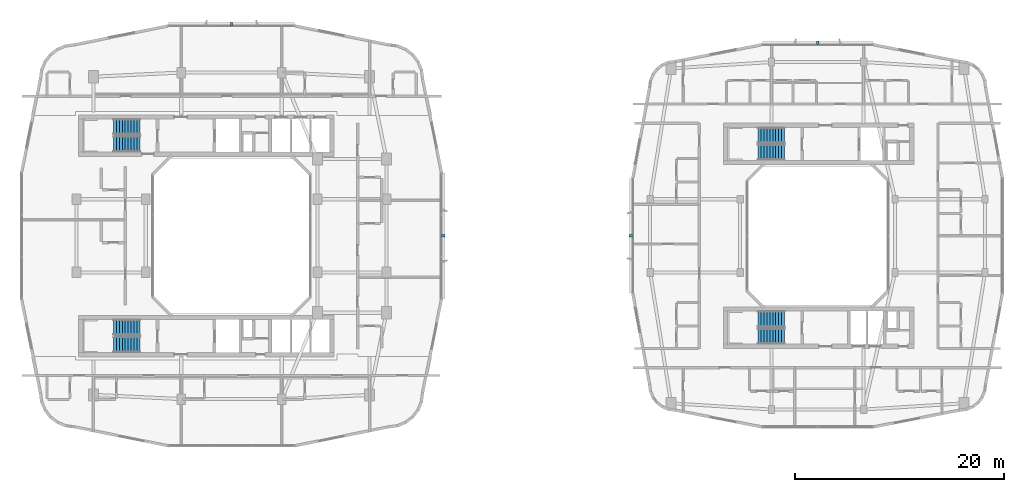
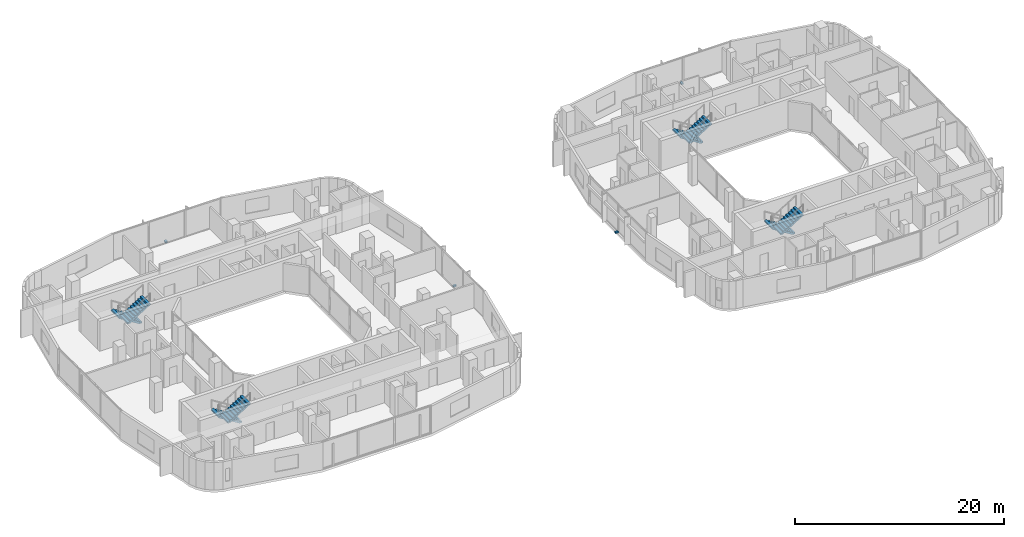
# One storey, part 21 of 26: 8 stair flights, 4 discrete accessories, 4 elements without a shape of their own.
"""IFC4 building model written with IfcOpenShell, lengths in metres."""

from ifc_helpers import new_model, si_unit, derived_unit, direction, frame, origin, origin_2d, place, context, subcontext, project, spatial, polyline, rectangle, outline, extrude, material, type_object, element, aggregate, save


model = new_model("IFC4")

# Units and contexts
model_context = context("Model", 3, precision=1e-05, world=origin(), true_north=direction((0.0, 1.0)))
body_context = subcontext(model_context, "Body", "Model", "MODEL_VIEW")
ifc_project = project(units=[si_unit("LENGTHUNIT", "METRE"), si_unit("AREAUNIT", "SQUARE_METRE"), si_unit("VOLUMEUNIT", "CUBIC_METRE"), si_unit("PLANEANGLEUNIT", "RADIAN"), si_unit("MASSUNIT", "GRAM", prefix="KILO"), derived_unit("THERMALTRANSMITTANCEUNIT", [(si_unit("POWERUNIT", "WATT"), 1), (si_unit("LENGTHUNIT", "METRE"), -2), (si_unit("THERMODYNAMICTEMPERATUREUNIT", "KELVIN"), -1)])], contexts=[model_context])

# Site, building, storey
site_placement = place(None, origin())
site = spatial("IfcSite", under=ifc_project, at=site_placement, CompositionType="ELEMENT")
building_placement = place(site_placement, origin())
building = spatial("IfcBuilding", under=site, at=building_placement, Name="Kivonza Crest Hotel", CompositionType="ELEMENT")
storey_placement = place(building_placement, frame((0.0, 0.0, 98.5)))
storey = spatial("IfcBuildingStorey", under=building, at=storey_placement, Name="L26", CompositionType="ELEMENT", Elevation=98.5)

# Stair, stair flights
ifc_material_1 = material(Name="Concrete C40/50", Category="concrete")
stair_type = type_object("IfcStairType", Name="ST-DL-20R", PredefinedType="HALF_TURN_STAIR", material=ifc_material_1)
stair_1_placement = place(storey_placement, origin())
stair_1 = element("IfcStair", 1, at=stair_1_placement, inside=storey, type_object=stair_type, Name="L26 Protected Exit Stair ST-T1-N", PredefinedType="HALF_TURN_STAIR")
stair_flight_type = type_object("IfcStairFlightType", Name="SFL-RC-10R", PredefinedType="STRAIGHT", material=ifc_material_1)
stair_flight_1_placement = place(storey_placement, frame((12.239990234375, 35.409912109375, 0.0), z_axis=(0.0, 0.0, 1.0), x_axis=(-1.0, 0.0, 0.0)))
stair_flight_1 = element("IfcStairFlight", 2, at=stair_flight_1_placement, type_object=stair_flight_type, Name="ST-T1-N flight 1", NumberOfRisers=10, NumberOfTreads=9, PredefinedType="STRAIGHT", RiserHeight=0.175, TreadLength=0.28, context=body_context, shape_type="SweptSolid", body=[
    extrude(outline(polyline([(0.0, 0.0), (0.0, 0.175048828125), (0.280029296875, 0.175048828125), (0.280029296875, 0.35009765625), (0.56005859375, 0.35009765625), (0.56005859375, 0.52490234375), (0.840087890625, 0.52490234375), (0.840087890625, 0.699951171875), (1.1201171875, 0.699951171875), (1.1201171875, 0.875), (1.39990234375, 0.875), (1.39990234375, 1.050048828125), (1.679931640625, 1.050048828125), (1.679931640625, 1.22509765625), (1.9599609375, 1.22509765625), (1.9599609375, 1.39990234375), (2.239990234375, 1.39990234375), (2.239990234375, 1.574951171875), (2.52001953125, 1.574951171875), (2.52001953125, 1.75), (2.52001953125, 1.398193359375), (0.28271484375, 0.0), (0.0, 0.0)])), frame((0.0, 0.75, 0.0), z_axis=(0.0, -1.0, 0.0), x_axis=(1.0, 0.0, 0.0)), (0.0, 0.0, 1.0), 1.5),
])
stair_flight_2_placement = place(storey_placement, frame((9.719970703125, 33.77001953125, 1.75), z_axis=(0.0, 0.0, 1.0), x_axis=(1.0, 0.0, 0.0)))
stair_flight_2 = element("IfcStairFlight", 3, at=stair_flight_2_placement, type_object=stair_flight_type, Name="ST-T1-N flight 2", NumberOfRisers=10, NumberOfTreads=9, PredefinedType="STRAIGHT", RiserHeight=0.175, TreadLength=0.28, context=body_context, shape_type="SweptSolid", body=[
    extrude(outline(polyline([(0.0, 0.0), (0.0, 0.175048828125), (0.280029296875, 0.175048828125), (0.280029296875, 0.35009765625), (0.56005859375, 0.35009765625), (0.56005859375, 0.52490234375), (0.840087890625, 0.52490234375), (0.840087890625, 0.699951171875), (1.1201171875, 0.699951171875), (1.1201171875, 0.875), (1.39990234375, 0.875), (1.39990234375, 1.050048828125), (1.679931640625, 1.050048828125), (1.679931640625, 1.22509765625), (1.9599609375, 1.22509765625), (1.9599609375, 1.39990234375), (2.239990234375, 1.39990234375), (2.239990234375, 1.574951171875), (2.52001953125, 1.574951171875), (2.52001953125, 1.75), (2.52001953125, 1.398193359375), (0.28271484375, 0.0), (0.0, 0.0)])), frame((0.0, 0.75, 0.0), z_axis=(0.0, -1.0, 0.0), x_axis=(1.0, 0.0, 0.0)), (0.0, 0.0, 1.0), 1.5),
])
aggregate(stair_1, [stair_flight_1, stair_flight_2])

stair_2_placement = place(storey_placement, origin())
stair_2 = element("IfcStair", 4, at=stair_2_placement, inside=storey, type_object=stair_type, Name="L26 Protected Exit Stair ST-T1-S", PredefinedType="HALF_TURN_STAIR")
stair_flight_3_placement = place(storey_placement, frame((12.239990234375, 16.25, 0.0), z_axis=(0.0, 0.0, 1.0), x_axis=(-1.0, 0.0, 0.0)))
stair_flight_3 = element("IfcStairFlight", 5, at=stair_flight_3_placement, type_object=stair_flight_type, Name="ST-T1-S flight 1", NumberOfRisers=10, NumberOfTreads=9, PredefinedType="STRAIGHT", RiserHeight=0.175, TreadLength=0.28, context=body_context, shape_type="SweptSolid", body=[
    extrude(outline(polyline([(0.0, 0.0), (0.0, 0.175048828125), (0.280029296875, 0.175048828125), (0.280029296875, 0.35009765625), (0.56005859375, 0.35009765625), (0.56005859375, 0.52490234375), (0.840087890625, 0.52490234375), (0.840087890625, 0.699951171875), (1.1201171875, 0.699951171875), (1.1201171875, 0.875), (1.39990234375, 0.875), (1.39990234375, 1.050048828125), (1.679931640625, 1.050048828125), (1.679931640625, 1.22509765625), (1.9599609375, 1.22509765625), (1.9599609375, 1.39990234375), (2.239990234375, 1.39990234375), (2.239990234375, 1.574951171875), (2.52001953125, 1.574951171875), (2.52001953125, 1.75), (2.52001953125, 1.398193359375), (0.28271484375, 0.0), (0.0, 0.0)])), frame((0.0, 0.75, 0.0), z_axis=(0.0, -1.0, 0.0), x_axis=(1.0, 0.0, 0.0)), (0.0, 0.0, 1.0), 1.5),
])
stair_flight_4_placement = place(storey_placement, frame((9.719970703125, 14.610107421875, 1.75), z_axis=(0.0, 0.0, 1.0), x_axis=(1.0, 0.0, 0.0)))
stair_flight_4 = element("IfcStairFlight", 6, at=stair_flight_4_placement, type_object=stair_flight_type, Name="ST-T1-S flight 2", NumberOfRisers=10, NumberOfTreads=9, PredefinedType="STRAIGHT", RiserHeight=0.175, TreadLength=0.28, context=body_context, shape_type="SweptSolid", body=[
    extrude(outline(polyline([(0.0, 0.0), (0.0, 0.175048828125), (0.280029296875, 0.175048828125), (0.280029296875, 0.35009765625), (0.56005859375, 0.35009765625), (0.56005859375, 0.52490234375), (0.840087890625, 0.52490234375), (0.840087890625, 0.699951171875), (1.1201171875, 0.699951171875), (1.1201171875, 0.875), (1.39990234375, 0.875), (1.39990234375, 1.050048828125), (1.679931640625, 1.050048828125), (1.679931640625, 1.22509765625), (1.9599609375, 1.22509765625), (1.9599609375, 1.39990234375), (2.239990234375, 1.39990234375), (2.239990234375, 1.574951171875), (2.52001953125, 1.574951171875), (2.52001953125, 1.75), (2.52001953125, 1.398193359375), (0.28271484375, 0.0), (0.0, 0.0)])), frame((0.0, 0.75, 0.0), z_axis=(0.0, -1.0, 0.0), x_axis=(1.0, 0.0, 0.0)), (0.0, 0.0, 1.0), 1.5),
])
aggregate(stair_2, [stair_flight_3, stair_flight_4])

stair_3_placement = place(storey_placement, origin())
stair_3 = element("IfcStair", 7, at=stair_3_placement, inside=storey, type_object=stair_type, Name="L26 Protected Exit Stair ST-T2-N", PredefinedType="HALF_TURN_STAIR")
stair_flight_5_placement = place(storey_placement, frame((73.840087890625, 34.610107421875, 0.0), z_axis=(0.0, 0.0, 1.0), x_axis=(-1.0, 0.0, 0.0)))
stair_flight_5 = element("IfcStairFlight", 8, at=stair_flight_5_placement, type_object=stair_flight_type, Name="ST-T2-N flight 1", NumberOfRisers=10, NumberOfTreads=9, PredefinedType="STRAIGHT", RiserHeight=0.175, TreadLength=0.28, context=body_context, shape_type="SweptSolid", body=[
    extrude(outline(polyline([(0.0, 0.0), (0.0, 0.175048828125), (0.280029296875, 0.175048828125), (0.280029296875, 0.35009765625), (0.56005859375, 0.35009765625), (0.56005859375, 0.52490234375), (0.840087890625, 0.52490234375), (0.840087890625, 0.699951171875), (1.1201171875, 0.699951171875), (1.1201171875, 0.875), (1.39990234375, 0.875), (1.39990234375, 1.050048828125), (1.679931640625, 1.050048828125), (1.679931640625, 1.22509765625), (1.9599609375, 1.22509765625), (1.9599609375, 1.39990234375), (2.239990234375, 1.39990234375), (2.239990234375, 1.574951171875), (2.52001953125, 1.574951171875), (2.52001953125, 1.75), (2.52001953125, 1.398193359375), (0.28271484375, 0.0), (0.0, 0.0)])), frame((0.0, 0.75, 0.0), z_axis=(0.0, -1.0, 0.0), x_axis=(1.0, 0.0, 0.0)), (0.0, 0.0, 1.0), 1.5),
])
stair_flight_6_placement = place(storey_placement, frame((71.320068359375, 32.969970703125, 1.75), z_axis=(0.0, 0.0, 1.0), x_axis=(1.0, 0.0, 0.0)))
stair_flight_6 = element("IfcStairFlight", 9, at=stair_flight_6_placement, type_object=stair_flight_type, Name="ST-T2-N flight 2", NumberOfRisers=10, NumberOfTreads=9, PredefinedType="STRAIGHT", RiserHeight=0.175, TreadLength=0.28, context=body_context, shape_type="SweptSolid", body=[
    extrude(outline(polyline([(0.0, 0.0), (0.0, 0.175048828125), (0.280029296875, 0.175048828125), (0.280029296875, 0.35009765625), (0.56005859375, 0.35009765625), (0.56005859375, 0.52490234375), (0.840087890625, 0.52490234375), (0.840087890625, 0.699951171875), (1.1201171875, 0.699951171875), (1.1201171875, 0.875), (1.39990234375, 0.875), (1.39990234375, 1.050048828125), (1.679931640625, 1.050048828125), (1.679931640625, 1.22509765625), (1.9599609375, 1.22509765625), (1.9599609375, 1.39990234375), (2.239990234375, 1.39990234375), (2.239990234375, 1.574951171875), (2.52001953125, 1.574951171875), (2.52001953125, 1.75), (2.52001953125, 1.398193359375), (0.28271484375, 0.0), (0.0, 0.0)])), frame((0.0, 0.75, 0.0), z_axis=(0.0, -1.0, 0.0), x_axis=(1.0, 0.0, 0.0)), (0.0, 0.0, 1.0), 1.5),
])
aggregate(stair_3, [stair_flight_5, stair_flight_6])

stair_4_placement = place(storey_placement, origin())
stair_4 = element("IfcStair", 10, at=stair_4_placement, inside=storey, type_object=stair_type, Name="L26 Protected Exit Stair ST-T2-S", PredefinedType="HALF_TURN_STAIR")
stair_flight_7_placement = place(storey_placement, frame((73.840087890625, 17.050048828125, 0.0), z_axis=(0.0, 0.0, 1.0), x_axis=(-1.0, 0.0, 0.0)))
stair_flight_7 = element("IfcStairFlight", 11, at=stair_flight_7_placement, type_object=stair_flight_type, Name="ST-T2-S flight 1", NumberOfRisers=10, NumberOfTreads=9, PredefinedType="STRAIGHT", RiserHeight=0.175, TreadLength=0.28, context=body_context, shape_type="SweptSolid", body=[
    extrude(outline(polyline([(0.0, 0.0), (0.0, 0.175048828125), (0.280029296875, 0.175048828125), (0.280029296875, 0.35009765625), (0.56005859375, 0.35009765625), (0.56005859375, 0.52490234375), (0.840087890625, 0.52490234375), (0.840087890625, 0.699951171875), (1.1201171875, 0.699951171875), (1.1201171875, 0.875), (1.39990234375, 0.875), (1.39990234375, 1.050048828125), (1.679931640625, 1.050048828125), (1.679931640625, 1.22509765625), (1.9599609375, 1.22509765625), (1.9599609375, 1.39990234375), (2.239990234375, 1.39990234375), (2.239990234375, 1.574951171875), (2.52001953125, 1.574951171875), (2.52001953125, 1.75), (2.52001953125, 1.398193359375), (0.28271484375, 0.0), (0.0, 0.0)])), frame((0.0, 0.75, 0.0), z_axis=(0.0, -1.0, 0.0), x_axis=(1.0, 0.0, 0.0)), (0.0, 0.0, 1.0), 1.5),
])
stair_flight_8_placement = place(storey_placement, frame((71.320068359375, 15.409912109375, 1.75), z_axis=(0.0, 0.0, 1.0), x_axis=(1.0, 0.0, 0.0)))
stair_flight_8 = element("IfcStairFlight", 12, at=stair_flight_8_placement, type_object=stair_flight_type, Name="ST-T2-S flight 2", NumberOfRisers=10, NumberOfTreads=9, PredefinedType="STRAIGHT", RiserHeight=0.175, TreadLength=0.28, context=body_context, shape_type="SweptSolid", body=[
    extrude(outline(polyline([(0.0, 0.0), (0.0, 0.175048828125), (0.280029296875, 0.175048828125), (0.280029296875, 0.35009765625), (0.56005859375, 0.35009765625), (0.56005859375, 0.52490234375), (0.840087890625, 0.52490234375), (0.840087890625, 0.699951171875), (1.1201171875, 0.699951171875), (1.1201171875, 0.875), (1.39990234375, 0.875), (1.39990234375, 1.050048828125), (1.679931640625, 1.050048828125), (1.679931640625, 1.22509765625), (1.9599609375, 1.22509765625), (1.9599609375, 1.39990234375), (2.239990234375, 1.39990234375), (2.239990234375, 1.574951171875), (2.52001953125, 1.574951171875), (2.52001953125, 1.75), (2.52001953125, 1.398193359375), (0.28271484375, 0.0), (0.0, 0.0)])), frame((0.0, 0.75, 0.0), z_axis=(0.0, -1.0, 0.0), x_axis=(1.0, 0.0, 0.0)), (0.0, 0.0, 1.0), 1.5),
])
aggregate(stair_4, [stair_flight_7, stair_flight_8])

# Discrete accessories
ifc_material_2 = material(Name="Stainless steel 316", Category="steel")
discrete_accessory_type = type_object("IfcDiscreteAccessoryType", Name="AC-BRACKET-240", PredefinedType="BRACKET", material=ifc_material_2)
for number, where, z_axis, x_axis, name in (
    (13, (41.239990234375, 25.0, -0.009765625), (0.0, 0.0, 1.0), (0.0, 1.0, 0.0), "L26 terracotta baguette support bracket CW-T1-L26-17"),
    (14, (21.0, 45.239990234375, -0.009765625), (0.0, 0.0, 1.0), (-1.0, 0.0, 0.0), "L26 terracotta baguette support bracket CW-T1-L26-26"),
    (15, (77.0, 43.43994140625, -0.009765625), (0.0, 0.0, 1.0), (-1.0, 0.0, 0.0), "L26 terracotta baguette support bracket CW-T2-L26-26"),
    (16, (59.159912109375, 25.0, -0.009765625), (0.0, 0.0, 1.0), (0.0, -1.0, 0.0), "L26 terracotta baguette support bracket CW-T2-L26-35"),
):
    element("IfcDiscreteAccessory", number, at=place(storey_placement, frame(where, z_axis=z_axis, x_axis=x_axis)), inside=storey, type_object=discrete_accessory_type, Name=name, PredefinedType="BRACKET", context=body_context, shape_type="SweptSolid", body=[
        extrude(rectangle(XDim=0.219970703125, YDim=0.340087890625, at=origin_2d()), origin(), (0.0, 0.0, 1.0), 0.179931640625),
    ])

save(model, "model.ifc")
